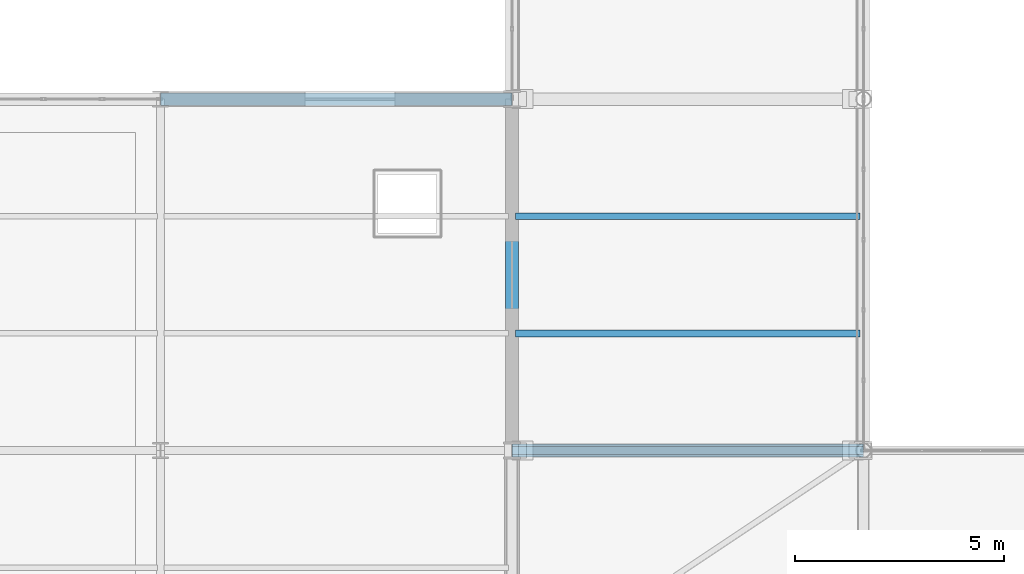
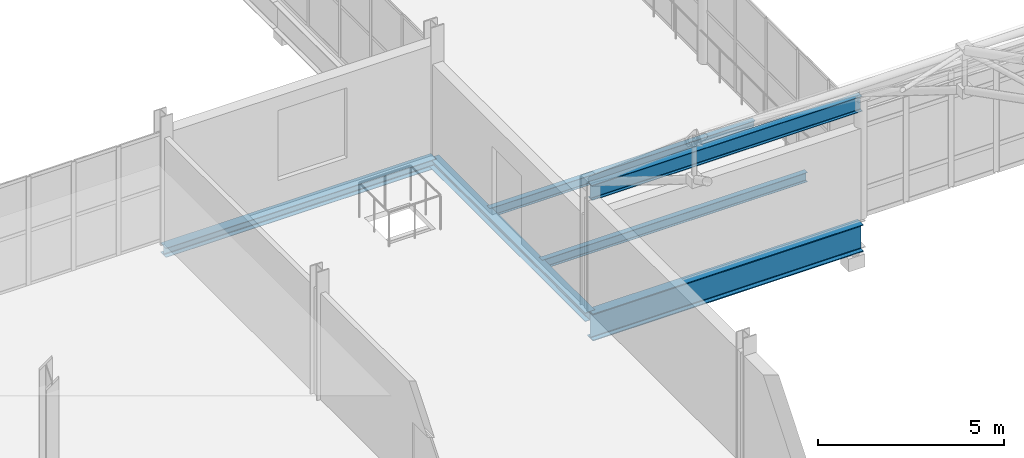
# One storey, part 54 of 184: 6 beams.
"""IFC4 building model written with IfcOpenShell, lengths in metres."""

from ifc_helpers import new_model, si_unit, direction, frame, origin, origin_2d, place, context, subcontext, project, spatial, i_section, extrude, material, material_profile, profile_set, type_object, element, save


model = new_model("IFC4")

# Units and contexts
model_context = context("Model", 3, precision=1e-05, world=origin(), true_north=direction((0.0, 1.0)))
body_context = subcontext(model_context, "Body", "Model", "MODEL_VIEW")
ifc_project = project(units=[si_unit("LENGTHUNIT", "METRE"), si_unit("AREAUNIT", "SQUARE_METRE"), si_unit("VOLUMEUNIT", "CUBIC_METRE"), si_unit("PLANEANGLEUNIT", "RADIAN"), si_unit("MASSUNIT", "GRAM", prefix="KILO")], contexts=[model_context])

# Site, building, storey
site_placement = place(None, origin())
site = spatial("IfcSite", under=ifc_project, at=site_placement, CompositionType="ELEMENT")
building_placement = place(site_placement, origin())
building = spatial("IfcBuilding", under=site, at=building_placement, Name="Qalvenar Corner Mobility Hub", CompositionType="ELEMENT")
storey_placement = place(building_placement, frame((0.0, 0.0, 9.0)))
storey = spatial("IfcBuildingStorey", under=building, at=storey_placement, Name="L02", CompositionType="ELEMENT", Elevation=9.0)

# Beams
ifc_material = material(Name="Steel S355", Category="steel")
ifc_material_profile_1 = material_profile(ifc_material, i_section(OverallWidth=0.300048828125, OverallDepth=0.889892578125, WebThickness=0.01611328125, FlangeThickness=0.030029296875, FilletRadius=0.027099609375, at=origin_2d()), Name="HEA900")
ifc_profile_set_1 = profile_set([ifc_material_profile_1], Name="Steel S355")
beam_type_1 = type_object("IfcBeamType", Name="BM-BRG900", PredefinedType="BEAM", material=ifc_profile_set_1)
beam_1_placement = place(storey_placement, frame((50.39990234375, 33.60009765625, -0.635009765625), z_axis=(1.0, 0.0, 0.0), x_axis=(0.0, 1.0, 0.0)))
element("IfcBeam", 1, at=beam_1_placement, inside=storey, type_object=beam_type_1, Name="Court Link Bridge Girder BRG-2168", PredefinedType="BEAM", context=body_context, shape_type="SweptSolid", body=[
    extrude(i_section(OverallWidth=0.300048828125, OverallDepth=0.889892578125, WebThickness=0.01611328125, FlangeThickness=0.030029296875, FilletRadius=0.027099609375, at=origin_2d()), origin(), (0.0, 0.0, 1.0), 8.400146484375),
])
ifc_material_profile_2 = material_profile(ifc_material, i_section(OverallWidth=0.199951171875, OverallDepth=0.5, WebThickness=0.01025390625, FlangeThickness=0.01611328125, FilletRadius=0.02099609375, at=origin_2d()), Name="IPE500")
ifc_profile_set_2 = profile_set([ifc_material_profile_2], Name="Steel S355")
beam_type_2 = type_object("IfcBeamType", Name="BM-IPE500", PredefinedType="BEAM", material=ifc_profile_set_2)
beam_2_placement = place(storey_placement, frame((50.39990234375, 33.60009765625, 3.75), z_axis=(1.0, 0.0, 0.0), x_axis=(0.0, 1.0, 0.0)))
element("IfcBeam", 2, at=beam_2_placement, inside=storey, type_object=beam_type_2, Name="Space Frame Ring Beam SFRB-1-33", PredefinedType="BEAM", context=body_context, shape_type="SweptSolid", body=[
    extrude(i_section(OverallWidth=0.199951171875, OverallDepth=0.5, WebThickness=0.01025390625, FlangeThickness=0.01611328125, FilletRadius=0.02099609375, at=origin_2d()), origin(), (0.0, 0.0, 1.0), 8.400146484375),
])
ifc_material_profile_3 = material_profile(ifc_material, i_section(OverallWidth=0.1650390625, OverallDepth=0.31005859375, WebThickness=0.005859375, FlangeThickness=0.009765625, FilletRadius=0.011962890625, at=origin_2d()), Name="W310x38.7")
ifc_profile_set_3 = profile_set([ifc_material_profile_3], Name="Steel S355")
beam_type_3 = type_object("IfcBeamType", Name="BM-JST310", PredefinedType="JOIST", material=ifc_profile_set_3)
for number, where, z_axis, x_axis, name in (
    (3, (50.47802734375, 36.39990234375, -0.344970703125), (1.0, 0.0, 0.0), (0.0, 1.0, 0.0), "Composite Floor Joist J-2180"),
    (4, (50.47802734375, 39.199951171875, -0.344970703125), (1.0, 0.0, 0.0), (0.0, 1.0, 0.0), "Composite Floor Joist J-2181"),
):
    element("IfcBeam", number, at=place(storey_placement, frame(where, z_axis=z_axis, x_axis=x_axis)), inside=storey, type_object=beam_type_3, Name=name, PredefinedType="JOIST", context=body_context, shape_type="SweptSolid", body=[
        extrude(i_section(OverallWidth=0.1650390625, OverallDepth=0.31005859375, WebThickness=0.005859375, FlangeThickness=0.009765625, FilletRadius=0.011962890625, at=origin_2d()), origin(), (0.0, 0.0, 1.0), 8.243896484375),
    ])
ifc_material_profile_4 = material_profile(ifc_material, i_section(OverallWidth=0.300048828125, OverallDepth=0.2900390625, WebThickness=0.008544921875, FlangeThickness=0.013916015625, FilletRadius=0.027099609375, at=origin_2d()), Name="HEA300")
ifc_profile_set_4 = profile_set([ifc_material_profile_4], Name="Steel S355")
beam_type_4 = type_object("IfcBeamType", Name="BM-SPN300", PredefinedType="SPANDREL", material=ifc_profile_set_4)
beam_3_placement = place(storey_placement, frame((50.39990234375, 33.60009765625, -0.3349609375), z_axis=(0.0, 1.0, 0.0), x_axis=(-1.0, 0.0, 0.0)))
element("IfcBeam", 5, at=beam_3_placement, inside=storey, type_object=beam_type_4, Name="Primary Steel Girder GY-1611", PredefinedType="SPANDREL", context=body_context, shape_type="SweptSolid", body=[
    extrude(i_section(OverallWidth=0.300048828125, OverallDepth=0.2900390625, WebThickness=0.008544921875, FlangeThickness=0.013916015625, FilletRadius=0.027099609375, at=origin_2d()), origin(), (0.0, 0.0, 1.0), 8.39990234375),
])
ifc_material_profile_5 = material_profile(ifc_material, i_section(OverallWidth=0.300048828125, OverallDepth=0.31005859375, WebThickness=0.009033203125, FlangeThickness=0.015380859375, FilletRadius=0.027099609375, at=origin_2d()), Name="HEA320")
ifc_profile_set_5 = profile_set([ifc_material_profile_5], Name="Steel S355")
beam_type_5 = type_object("IfcBeamType", Name="BM-SPN320", PredefinedType="SPANDREL", material=ifc_profile_set_5)
beam_4_placement = place(storey_placement, frame((42.0, 42.0, -0.3349609375), z_axis=(1.0, 0.0, 0.0), x_axis=(0.0, 1.0, 0.0)))
element("IfcBeam", 6, at=beam_4_placement, inside=storey, type_object=beam_type_5, Name="Primary Steel Girder GX-1576", PredefinedType="SPANDREL", context=body_context, shape_type="SweptSolid", body=[
    extrude(i_section(OverallWidth=0.300048828125, OverallDepth=0.31005859375, WebThickness=0.009033203125, FlangeThickness=0.015380859375, FilletRadius=0.027099609375, at=origin_2d()), origin(), (0.0, 0.0, 1.0), 8.39990234375),
])

save(model, "model.ifc")
